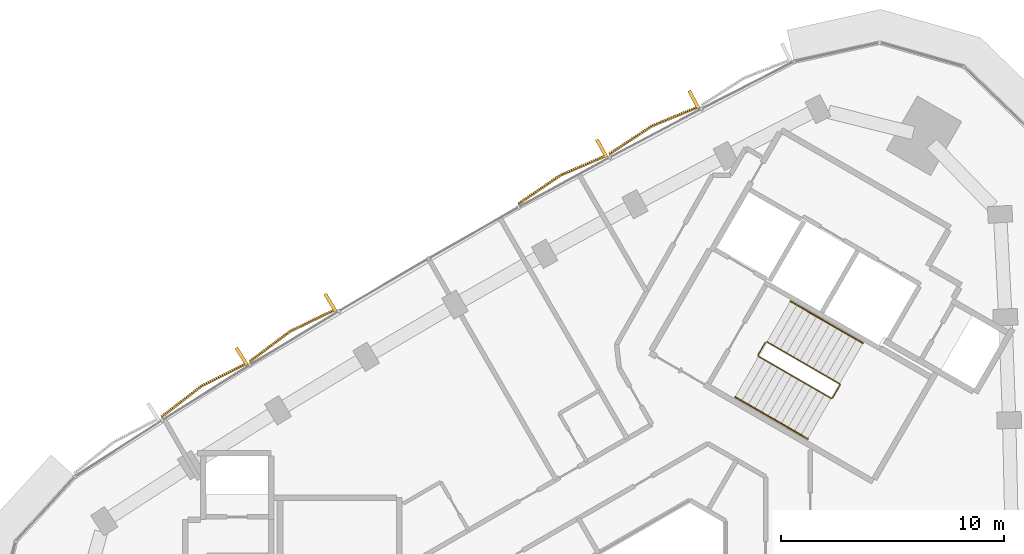
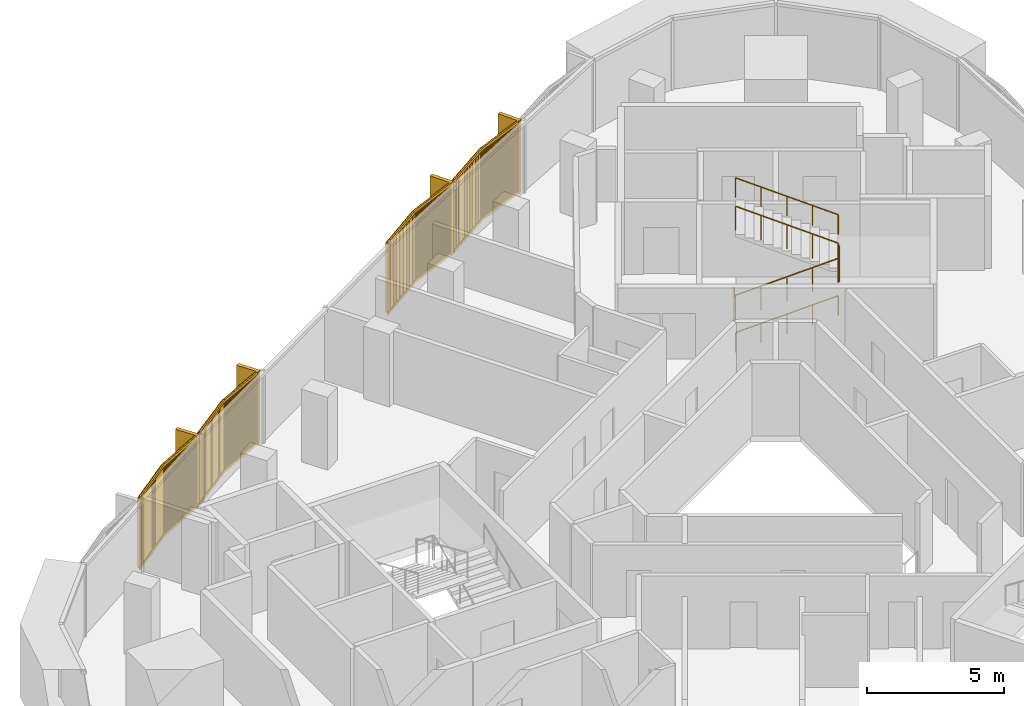
# One storey, part 15 of 16: 4 coverings, 3 railings.
"""IFC4 building model written with IfcOpenShell, lengths in metres."""

from ifc_helpers import new_model, si_unit, direction, frame, frame_2d, origin, origin_2d, place, context, subcontext, project, spatial, rectangle, circle, extrude, source, transform, mapped, material, type_object, element, save


model = new_model("IFC4")

# Units and contexts
model_context = context("Model", 3, precision=1e-05, world=origin(), true_north=direction((0.0, 1.0)))
body_context = subcontext(model_context, "Body", "Model", "MODEL_VIEW")
ifc_project = project(units=[si_unit("LENGTHUNIT", "METRE"), si_unit("AREAUNIT", "SQUARE_METRE"), si_unit("VOLUMEUNIT", "CUBIC_METRE"), si_unit("PLANEANGLEUNIT", "RADIAN"), si_unit("MASSUNIT", "GRAM", prefix="KILO")], contexts=[model_context])

# Site, building, storey
site_placement = place(None, origin())
site = spatial("IfcSite", under=ifc_project, at=site_placement, CompositionType="ELEMENT")
building_placement = place(site_placement, origin())
building = spatial("IfcBuilding", under=site, at=building_placement, Name="Tamra Quay Hotel Tower", CompositionType="ELEMENT")
storey_placement = place(building_placement, frame((0.0, 0.0, 239.39990234375)))
storey = spatial("IfcBuildingStorey", under=building, at=storey_placement, Name="L60", CompositionType="ELEMENT", Elevation=239.39990234375)

# Railings
ifc_material_1 = material(Name="Stair guard 1100")
railing_type_1 = type_object("IfcRailingType", Name="Stair guard 1100", PredefinedType="GUARDRAIL", material=ifc_material_1)
railing_1_placement = place(storey_placement, frame((5.595458984375, 12.751953125, 0.0)))
element("IfcRailing", 1, at=railing_1_placement, inside=storey, type_object=railing_type_1, Name="GR", PredefinedType="GUARDRAIL", context=body_context, shape_type="SweptSolid", body=[
    extrude(circle(Radius=0.02392578125, at=origin_2d()), frame((0.0, 0.0, 1.076171875), z_axis=(-0.499765215335, -0.866160914346, 0.0), x_axis=(0.866160914346, -0.499765215335, 0.0)), (0.0, 0.0, 1.0), 0.658935546875),
    extrude(circle(Radius=0.02392578125, at=origin_2d()), frame((-0.329345703125, -0.57080078125, 1.076171875), z_axis=(0.110378772244, -0.410609032747, 0.905105932399), x_axis=(0.965715946433, 0.259601060869, 0.0)), (0.0, 0.0, 1.0), 0.165771484375),
    extrude(circle(Radius=0.02392578125, at=origin_2d()), frame((-0.31103515625, -0.638916015625, 1.22607421875), z_axis=(0.793078462799, -0.457933869594, 0.401650498471), x_axis=(0.500040788363, 0.866001853331, 0.0)), (0.0, 0.0, 1.0), 4.10791015625),
    extrude(circle(Radius=0.02392578125, at=origin_2d()), frame((2.94677734375, -2.52001953125, 2.8759765625), z_axis=(0.965948051503, 0.258736085224, 0.0), x_axis=(-0.258736085224, 0.965948051503, 0.0)), (0.0, 0.0, 1.0), 0.07080078125),
    extrude(circle(Radius=0.02392578125, at=origin_2d()), frame((3.01513671875, -2.501708984375, 2.8759765625), z_axis=(0.500043078269, 0.866000531106, 0.0), x_axis=(-0.866000531106, 0.500043078269, 0.0)), (0.0, 0.0, 1.0), 0.6591796875),
    extrude(circle(Radius=0.02392578125, at=origin_2d()), frame((3.3447265625, -1.930908203125, 2.8759765625), z_axis=(-0.110378772244, 0.410609032747, 0.905105932399), x_axis=(-0.965715946433, -0.259601060869, 0.0)), (0.0, 0.0, 1.0), 0.165771484375),
    extrude(circle(Radius=0.02392578125, at=origin_2d()), frame((3.326416015625, -1.86279296875, 3.0263671875), z_axis=(-0.793100512587, 0.457912285461, 0.401631567183), x_axis=(-0.500012686397, -0.866018079166, 0.0)), (0.0, 0.0, 1.0), 4.10791015625),
    extrude(circle(Radius=0.02099609375, at=origin_2d()), origin(), (0.0, 0.0, 1.0), 1.052001953125),
    extrude(circle(Radius=0.02099609375, at=origin_2d()), frame((-0.329345703125, -0.57080078125, 0.0)), (0.0, 0.0, 1.0), 1.052001953125),
    extrude(circle(Radius=0.02099609375, at=origin_2d()), frame((-0.31103515625, -0.638916015625, 0.150146484375)), (0.0, 0.0, 1.0), 1.052001953125),
    extrude(circle(Radius=0.02099609375, at=origin_2d()), frame((0.50341796875, -1.109130859375, 0.5625)), (0.0, 0.0, 1.0), 1.052001953125),
    extrude(circle(Radius=0.02099609375, at=origin_2d()), frame((1.31787109375, -1.57958984375, 0.97509765625)), (0.0, 0.0, 1.0), 1.052001953125),
    extrude(circle(Radius=0.02099609375, at=origin_2d()), frame((2.13232421875, -2.0498046875, 1.3876953125)), (0.0, 0.0, 1.0), 1.052001953125),
    extrude(circle(Radius=0.02099609375, at=origin_2d()), frame((2.94677734375, -2.52001953125, 1.800048828125)), (0.0, 0.0, 1.0), 1.052001953125),
    extrude(circle(Radius=0.02099609375, at=origin_2d()), frame((3.01513671875, -2.501708984375, 1.800048828125)), (0.0, 0.0, 1.0), 1.052001953125),
    extrude(circle(Radius=0.02099609375, at=origin_2d()), frame((3.3447265625, -1.930908203125, 1.800048828125)), (0.0, 0.0, 1.0), 1.052001953125),
    extrude(circle(Radius=0.02099609375, at=origin_2d()), frame((3.326416015625, -1.86279296875, 1.9501953125)), (0.0, 0.0, 1.0), 1.052001953125),
    extrude(circle(Radius=0.02099609375, at=origin_2d()), frame((2.511962890625, -1.392578125, 2.36279296875)), (0.0, 0.0, 1.0), 1.052001953125),
    extrude(circle(Radius=0.02099609375, at=origin_2d()), frame((1.697265625, -0.92236328125, 2.775146484375)), (0.0, 0.0, 1.0), 1.052001953125),
    extrude(circle(Radius=0.02099609375, at=origin_2d()), frame((0.8828125, -0.451904296875, 3.1875)), (0.0, 0.0, 1.0), 1.052001953125),
    extrude(circle(Radius=0.02099609375, at=origin_2d()), frame((0.068359375, 0.018310546875, 3.60009765625)), (0.0, 0.0, 1.0), 1.052001953125),
])
ifc_material_2 = material(Name="Stair handrail 900")
railing_type_2 = type_object("IfcRailingType", Name="Stair handrail 900", PredefinedType="HANDRAIL", material=ifc_material_2)
railing_2_placement = place(storey_placement, frame((4.234375, 10.294189453125, 0.150146484375)))
element("IfcRailing", 2, at=railing_2_placement, inside=storey, type_object=railing_type_2, Name="HR", PredefinedType="HANDRAIL", context=body_context, shape_type="SweptSolid", body=[
    extrude(circle(Radius=0.02392578125, at=origin_2d()), frame((0.0, 0.0, 0.8759765625), z_axis=(0.793122095483, -0.45786531462, 0.401642496911), x_axis=(0.499964013922, 0.86604617936, 0.0)), (0.0, 0.0, 1.0), 4.10791015625),
    extrude(circle(Radius=0.02099609375, at=origin_2d()), origin(), (0.0, 0.0, 1.0), 0.851806640625),
    extrude(circle(Radius=0.02099609375, at=origin_2d()), frame((0.814453125, -0.47021484375, 0.41259765625)), (0.0, 0.0, 1.0), 0.851806640625),
    extrude(circle(Radius=0.02099609375, at=origin_2d()), frame((1.62890625, -0.9404296875, 0.824951171875)), (0.0, 0.0, 1.0), 0.851806640625),
    extrude(circle(Radius=0.02099609375, at=origin_2d()), frame((2.443603515625, -1.41064453125, 1.2373046875)), (0.0, 0.0, 1.0), 0.851806640625),
    extrude(circle(Radius=0.02099609375, at=origin_2d()), frame((3.258056640625, -1.880859375, 1.64990234375)), (0.0, 0.0, 1.0), 0.851806640625),
])
railing_3_placement = place(storey_placement, frame((9.971923828125, 12.7080078125, 1.9501953125)))
element("IfcRailing", 3, at=railing_3_placement, inside=storey, type_object=railing_type_2, Name="HR", PredefinedType="HANDRAIL", context=body_context, shape_type="SweptSolid", body=[
    extrude(circle(Radius=0.02392578125, at=origin_2d()), frame((0.0, 0.0, 0.8759765625), z_axis=(-0.793122095483, 0.45786531462, 0.401642496911), x_axis=(-0.499964013922, -0.86604617936, 0.0)), (0.0, 0.0, 1.0), 4.10791015625),
    extrude(circle(Radius=0.02099609375, at=origin_2d()), origin(), (0.0, 0.0, 1.0), 0.851806640625),
    extrude(circle(Radius=0.02099609375, at=origin_2d()), frame((-0.814453125, 0.47021484375, 0.41259765625)), (0.0, 0.0, 1.0), 0.851806640625),
    extrude(circle(Radius=0.02099609375, at=origin_2d()), frame((-1.62890625, 0.9404296875, 0.824951171875)), (0.0, 0.0, 1.0), 0.851806640625),
    extrude(circle(Radius=0.02099609375, at=origin_2d()), frame((-2.443603515625, 1.41064453125, 1.2373046875)), (0.0, 0.0, 1.0), 0.851806640625),
    extrude(circle(Radius=0.02099609375, at=origin_2d()), frame((-3.258056640625, 1.880859375, 1.64990234375)), (0.0, 0.0, 1.0), 0.851806640625),
])

# Coverings
ifc_material_3 = material(Name="Terracotta baguette extruded", Category="masonry")
covering_type = type_object("IfcCoveringType", Name="BAGUETTE SCREEN NW-V H3250", PredefinedType="USERDEFINED", material=ifc_material_3)
shared_shape_1 = source(origin(), body_context, "Body", "SweptSolid", [
    extrude(rectangle(XDim=2.29296875, YDim=0.06005859375, at=frame_2d((1.146484375, 0.030029296875))), frame((-2.288330078125, -0.0576171875, -0.1201171875), z_axis=(0.0, 0.0, 1.0), x_axis=(0.995396198367, -0.09584575252, 0.0)), (0.0, 0.0, 1.0), 0.1201171875),
    extrude(rectangle(XDim=2.29296875, YDim=0.06005859375, at=frame_2d((1.146484375, 0.030029296875))), frame((-2.288330078125, -0.0576171875, -3.25), z_axis=(0.0, 0.0, 1.0), x_axis=(0.995396198367, -0.09584575252, 0.0)), (0.0, 0.0, 1.0), 0.1201171875),
    extrude(rectangle(XDim=0.070068359375, YDim=0.10009765625, at=frame_2d((0.03515625, 0.050048828125))), frame((-2.267822265625, -0.1328125, -3.18994140625)), (0.0, 0.0, 1.0), 3.1298828125),
    extrude(rectangle(XDim=0.070068359375, YDim=0.10009765625, at=frame_2d((0.03515625, 0.050048828125))), frame((-2.168701171875, -0.142333984375, -3.18994140625)), (0.0, 0.0, 1.0), 3.1298828125),
    extrude(rectangle(XDim=0.070068359375, YDim=0.10009765625, at=frame_2d((0.03515625, 0.050048828125))), frame((-2.0693359375, -0.15185546875, -3.18994140625)), (0.0, 0.0, 1.0), 3.1298828125),
    extrude(rectangle(XDim=0.070068359375, YDim=0.10009765625, at=frame_2d((0.03515625, 0.050048828125))), frame((-1.97021484375, -0.161376953125, -3.18994140625)), (0.0, 0.0, 1.0), 3.1298828125),
    extrude(rectangle(XDim=0.070068359375, YDim=0.10009765625, at=frame_2d((0.03515625, 0.050048828125))), frame((-1.870849609375, -0.1708984375, -3.18994140625)), (0.0, 0.0, 1.0), 3.1298828125),
    extrude(rectangle(XDim=0.070068359375, YDim=0.10009765625, at=frame_2d((0.03515625, 0.050048828125))), frame((-1.771728515625, -0.1806640625, -3.18994140625)), (0.0, 0.0, 1.0), 3.1298828125),
    extrude(rectangle(XDim=0.070068359375, YDim=0.10009765625, at=frame_2d((0.03515625, 0.050048828125))), frame((-1.67236328125, -0.190185546875, -3.18994140625)), (0.0, 0.0, 1.0), 3.1298828125),
    extrude(rectangle(XDim=0.070068359375, YDim=0.10009765625, at=frame_2d((0.03515625, 0.050048828125))), frame((-1.5732421875, -0.19970703125, -3.18994140625)), (0.0, 0.0, 1.0), 3.1298828125),
    extrude(rectangle(XDim=0.070068359375, YDim=0.10009765625, at=frame_2d((0.03515625, 0.050048828125))), frame((-1.473876953125, -0.209228515625, -3.18994140625)), (0.0, 0.0, 1.0), 3.1298828125),
    extrude(rectangle(XDim=0.070068359375, YDim=0.10009765625, at=frame_2d((0.03515625, 0.050048828125))), frame((-1.374755859375, -0.21875, -3.18994140625)), (0.0, 0.0, 1.0), 3.1298828125),
    extrude(rectangle(XDim=0.070068359375, YDim=0.10009765625, at=frame_2d((0.03515625, 0.050048828125))), frame((-1.275390625, -0.228271484375, -3.18994140625)), (0.0, 0.0, 1.0), 3.1298828125),
    extrude(rectangle(XDim=0.070068359375, YDim=0.10009765625, at=frame_2d((0.03515625, 0.050048828125))), frame((-1.17626953125, -0.23779296875, -3.18994140625)), (0.0, 0.0, 1.0), 3.1298828125),
    extrude(rectangle(XDim=0.070068359375, YDim=0.10009765625, at=frame_2d((0.03515625, 0.050048828125))), frame((-1.076904296875, -0.24755859375, -3.18994140625)), (0.0, 0.0, 1.0), 3.1298828125),
    extrude(rectangle(XDim=0.070068359375, YDim=0.10009765625, at=frame_2d((0.03515625, 0.050048828125))), frame((-0.977783203125, -0.257080078125, -3.18994140625)), (0.0, 0.0, 1.0), 3.1298828125),
    extrude(rectangle(XDim=0.070068359375, YDim=0.10009765625, at=frame_2d((0.03515625, 0.050048828125))), frame((-0.87841796875, -0.2666015625, -3.18994140625)), (0.0, 0.0, 1.0), 3.1298828125),
    extrude(rectangle(XDim=0.070068359375, YDim=0.10009765625, at=frame_2d((0.03515625, 0.050048828125))), frame((-0.779296875, -0.276123046875, -3.18994140625)), (0.0, 0.0, 1.0), 3.1298828125),
    extrude(rectangle(XDim=0.070068359375, YDim=0.10009765625, at=frame_2d((0.03515625, 0.050048828125))), frame((-0.679931640625, -0.28564453125, -3.18994140625)), (0.0, 0.0, 1.0), 3.1298828125),
    extrude(rectangle(XDim=0.070068359375, YDim=0.10009765625, at=frame_2d((0.03515625, 0.050048828125))), frame((-0.580810546875, -0.295166015625, -3.18994140625)), (0.0, 0.0, 1.0), 3.1298828125),
    extrude(rectangle(XDim=0.070068359375, YDim=0.10009765625, at=frame_2d((0.03515625, 0.050048828125))), frame((-0.481689453125, -0.3046875, -3.18994140625)), (0.0, 0.0, 1.0), 3.1298828125),
    extrude(rectangle(XDim=0.070068359375, YDim=0.10009765625, at=frame_2d((0.03515625, 0.050048828125))), frame((-0.38232421875, -0.314453125, -3.18994140625)), (0.0, 0.0, 1.0), 3.1298828125),
    extrude(rectangle(XDim=0.070068359375, YDim=0.10009765625, at=frame_2d((0.03515625, 0.050048828125))), frame((-0.283203125, -0.323974609375, -3.18994140625)), (0.0, 0.0, 1.0), 3.1298828125),
    extrude(rectangle(XDim=0.070068359375, YDim=0.10009765625, at=frame_2d((0.03515625, 0.050048828125))), frame((-0.183837890625, -0.33349609375, -3.18994140625)), (0.0, 0.0, 1.0), 3.1298828125),
    extrude(rectangle(XDim=0.070068359375, YDim=0.10009765625, at=frame_2d((0.03515625, 0.050048828125))), frame((-0.084716796875, -0.343017578125, -3.18994140625)), (0.0, 0.0, 1.0), 3.1298828125),
    extrude(rectangle(XDim=2.29296875, YDim=0.06005859375, at=frame_2d((1.146484375, 0.030029296875))), frame((0.005859375, -0.277587890625, -0.1201171875), z_axis=(0.0, 0.0, 1.0), x_axis=(0.995396198367, 0.09584575252, 0.0)), (0.0, 0.0, 1.0), 0.1201171875),
    extrude(rectangle(XDim=2.29296875, YDim=0.06005859375, at=frame_2d((1.146484375, 0.030029296875))), frame((0.005859375, -0.277587890625, -3.25), z_axis=(0.0, 0.0, 1.0), x_axis=(0.995396198367, 0.09584575252, 0.0)), (0.0, 0.0, 1.0), 0.1201171875),
    extrude(rectangle(XDim=0.070068359375, YDim=0.10009765625, at=frame_2d((0.03515625, 0.050048828125))), frame((0.0146484375, -0.343017578125, -3.18994140625)), (0.0, 0.0, 1.0), 3.1298828125),
    extrude(rectangle(XDim=0.070068359375, YDim=0.10009765625, at=frame_2d((0.03515625, 0.050048828125))), frame((0.11376953125, -0.33349609375, -3.18994140625)), (0.0, 0.0, 1.0), 3.1298828125),
    extrude(rectangle(XDim=0.070068359375, YDim=0.10009765625, at=frame_2d((0.03515625, 0.050048828125))), frame((0.213134765625, -0.323974609375, -3.18994140625)), (0.0, 0.0, 1.0), 3.1298828125),
    extrude(rectangle(XDim=0.070068359375, YDim=0.10009765625, at=frame_2d((0.03515625, 0.050048828125))), frame((0.312255859375, -0.314453125, -3.18994140625)), (0.0, 0.0, 1.0), 3.1298828125),
    extrude(rectangle(XDim=0.070068359375, YDim=0.10009765625, at=frame_2d((0.03515625, 0.050048828125))), frame((0.41162109375, -0.3046875, -3.18994140625)), (0.0, 0.0, 1.0), 3.1298828125),
    extrude(rectangle(XDim=0.070068359375, YDim=0.10009765625, at=frame_2d((0.03515625, 0.050048828125))), frame((0.5107421875, -0.295166015625, -3.18994140625)), (0.0, 0.0, 1.0), 3.1298828125),
    extrude(rectangle(XDim=0.070068359375, YDim=0.10009765625, at=frame_2d((0.03515625, 0.050048828125))), frame((0.610107421875, -0.28564453125, -3.18994140625)), (0.0, 0.0, 1.0), 3.1298828125),
    extrude(rectangle(XDim=0.070068359375, YDim=0.10009765625, at=frame_2d((0.03515625, 0.050048828125))), frame((0.709228515625, -0.276123046875, -3.18994140625)), (0.0, 0.0, 1.0), 3.1298828125),
    extrude(rectangle(XDim=0.070068359375, YDim=0.10009765625, at=frame_2d((0.03515625, 0.050048828125))), frame((0.80859375, -0.2666015625, -3.18994140625)), (0.0, 0.0, 1.0), 3.1298828125),
    extrude(rectangle(XDim=0.070068359375, YDim=0.10009765625, at=frame_2d((0.03515625, 0.050048828125))), frame((0.90771484375, -0.257080078125, -3.18994140625)), (0.0, 0.0, 1.0), 3.1298828125),
    extrude(rectangle(XDim=0.070068359375, YDim=0.10009765625, at=frame_2d((0.03515625, 0.050048828125))), frame((1.007080078125, -0.24755859375, -3.18994140625)), (0.0, 0.0, 1.0), 3.1298828125),
    extrude(rectangle(XDim=0.070068359375, YDim=0.10009765625, at=frame_2d((0.03515625, 0.050048828125))), frame((1.106201171875, -0.23779296875, -3.18994140625)), (0.0, 0.0, 1.0), 3.1298828125),
    extrude(rectangle(XDim=0.070068359375, YDim=0.10009765625, at=frame_2d((0.03515625, 0.050048828125))), frame((1.20556640625, -0.228271484375, -3.18994140625)), (0.0, 0.0, 1.0), 3.1298828125),
    extrude(rectangle(XDim=0.070068359375, YDim=0.10009765625, at=frame_2d((0.03515625, 0.050048828125))), frame((1.3046875, -0.21875, -3.18994140625)), (0.0, 0.0, 1.0), 3.1298828125),
    extrude(rectangle(XDim=0.070068359375, YDim=0.10009765625, at=frame_2d((0.03515625, 0.050048828125))), frame((1.404052734375, -0.209228515625, -3.18994140625)), (0.0, 0.0, 1.0), 3.1298828125),
    extrude(rectangle(XDim=0.070068359375, YDim=0.10009765625, at=frame_2d((0.03515625, 0.050048828125))), frame((1.503173828125, -0.19970703125, -3.18994140625)), (0.0, 0.0, 1.0), 3.1298828125),
    extrude(rectangle(XDim=0.070068359375, YDim=0.10009765625, at=frame_2d((0.03515625, 0.050048828125))), frame((1.6025390625, -0.190185546875, -3.18994140625)), (0.0, 0.0, 1.0), 3.1298828125),
    extrude(rectangle(XDim=0.070068359375, YDim=0.10009765625, at=frame_2d((0.03515625, 0.050048828125))), frame((1.70166015625, -0.1806640625, -3.18994140625)), (0.0, 0.0, 1.0), 3.1298828125),
    extrude(rectangle(XDim=0.070068359375, YDim=0.10009765625, at=frame_2d((0.03515625, 0.050048828125))), frame((1.801025390625, -0.1708984375, -3.18994140625)), (0.0, 0.0, 1.0), 3.1298828125),
    extrude(rectangle(XDim=0.070068359375, YDim=0.10009765625, at=frame_2d((0.03515625, 0.050048828125))), frame((1.900146484375, -0.161376953125, -3.18994140625)), (0.0, 0.0, 1.0), 3.1298828125),
    extrude(rectangle(XDim=0.070068359375, YDim=0.10009765625, at=frame_2d((0.03515625, 0.050048828125))), frame((1.99951171875, -0.15185546875, -3.18994140625)), (0.0, 0.0, 1.0), 3.1298828125),
    extrude(rectangle(XDim=0.070068359375, YDim=0.10009765625, at=frame_2d((0.03515625, 0.050048828125))), frame((2.0986328125, -0.142333984375, -3.18994140625)), (0.0, 0.0, 1.0), 3.1298828125),
    extrude(rectangle(XDim=0.070068359375, YDim=0.10009765625, at=frame_2d((0.03515625, 0.050048828125))), frame((2.197998046875, -0.1328125, -3.18994140625)), (0.0, 0.0, 1.0), 3.1298828125),
    extrude(rectangle(XDim=0.14990234375, YDim=0.902099609375, at=frame_2d((0.074951171875, 0.451171875))), frame((-2.282470703125, -0.89990234375, -3.25)), (0.0, 0.0, 1.0), 3.25),
])
for number, where, z_axis, x_axis, name in (
    (4, (-3.47119140625, 19.99560546875, 3.25), (0.0, 0.0, 1.0), (-0.876845960448, -0.480771423492, 0.0), "Baguette screen L60.NW.f02"),
    (5, (-15.5810546875, 13.004150390625, 3.25), (0.0, 0.0, 1.0), (-0.854783246382, -0.518985165207, 0.0), "Baguette screen L60.NW.f05"),
):
    element("IfcCovering", number, at=place(storey_placement, frame(where, z_axis=z_axis, x_axis=x_axis)), inside=storey, type_object=covering_type, Name=name, ObjectType="BAGUETTE SCREEN", PredefinedType="USERDEFINED", context=body_context, shape_type="MappedRepresentation", body=[
        mapped(shared_shape_1, transform((0.0, 0.0, 0.0), scale=1.0)),
    ])
shared_shape_2 = source(origin(), body_context, "Body", "SweptSolid", [
    extrude(rectangle(XDim=2.302978515625, YDim=0.06005859375, at=frame_2d((1.1513671875, 0.030029296875))), frame((-2.29833984375, -0.0576171875, -0.1201171875), z_axis=(0.0, 0.0, 1.0), x_axis=(0.995396198367, -0.09584575252, 0.0)), (0.0, 0.0, 1.0), 0.1201171875),
    extrude(rectangle(XDim=2.302978515625, YDim=0.06005859375, at=frame_2d((1.1513671875, 0.030029296875))), frame((-2.29833984375, -0.0576171875, -3.25), z_axis=(0.0, 0.0, 1.0), x_axis=(0.995396198367, -0.09584575252, 0.0)), (0.0, 0.0, 1.0), 0.1201171875),
    extrude(rectangle(XDim=0.070068359375, YDim=0.10009765625, at=frame_2d((0.03515625, 0.050048828125))), frame((-2.277587890625, -0.1328125, -3.18994140625)), (0.0, 0.0, 1.0), 3.1298828125),
    extrude(rectangle(XDim=0.070068359375, YDim=0.10009765625, at=frame_2d((0.03515625, 0.050048828125))), frame((-2.177978515625, -0.142333984375, -3.18994140625)), (0.0, 0.0, 1.0), 3.1298828125),
    extrude(rectangle(XDim=0.070068359375, YDim=0.10009765625, at=frame_2d((0.03515625, 0.050048828125))), frame((-2.078369140625, -0.152099609375, -3.18994140625)), (0.0, 0.0, 1.0), 3.1298828125),
    extrude(rectangle(XDim=0.070068359375, YDim=0.10009765625, at=frame_2d((0.03515625, 0.050048828125))), frame((-1.978759765625, -0.16162109375, -3.18994140625)), (0.0, 0.0, 1.0), 3.1298828125),
    extrude(rectangle(XDim=0.070068359375, YDim=0.10009765625, at=frame_2d((0.03515625, 0.050048828125))), frame((-1.87890625, -0.171142578125, -3.18994140625)), (0.0, 0.0, 1.0), 3.1298828125),
    extrude(rectangle(XDim=0.070068359375, YDim=0.10009765625, at=frame_2d((0.03515625, 0.050048828125))), frame((-1.779296875, -0.180908203125, -3.18994140625)), (0.0, 0.0, 1.0), 3.1298828125),
    extrude(rectangle(XDim=0.070068359375, YDim=0.10009765625, at=frame_2d((0.03515625, 0.050048828125))), frame((-1.6796875, -0.1904296875, -3.18994140625)), (0.0, 0.0, 1.0), 3.1298828125),
    extrude(rectangle(XDim=0.070068359375, YDim=0.10009765625, at=frame_2d((0.03515625, 0.050048828125))), frame((-1.579833984375, -0.199951171875, -3.18994140625)), (0.0, 0.0, 1.0), 3.1298828125),
    extrude(rectangle(XDim=0.070068359375, YDim=0.10009765625, at=frame_2d((0.03515625, 0.050048828125))), frame((-1.480224609375, -0.20947265625, -3.18994140625)), (0.0, 0.0, 1.0), 3.1298828125),
    extrude(rectangle(XDim=0.070068359375, YDim=0.10009765625, at=frame_2d((0.03515625, 0.050048828125))), frame((-1.380615234375, -0.21923828125, -3.18994140625)), (0.0, 0.0, 1.0), 3.1298828125),
    extrude(rectangle(XDim=0.070068359375, YDim=0.10009765625, at=frame_2d((0.03515625, 0.050048828125))), frame((-1.281005859375, -0.228759765625, -3.18994140625)), (0.0, 0.0, 1.0), 3.1298828125),
    extrude(rectangle(XDim=0.070068359375, YDim=0.10009765625, at=frame_2d((0.03515625, 0.050048828125))), frame((-1.18115234375, -0.23828125, -3.18994140625)), (0.0, 0.0, 1.0), 3.1298828125),
    extrude(rectangle(XDim=0.070068359375, YDim=0.10009765625, at=frame_2d((0.03515625, 0.050048828125))), frame((-1.08154296875, -0.248046875, -3.18994140625)), (0.0, 0.0, 1.0), 3.1298828125),
    extrude(rectangle(XDim=0.070068359375, YDim=0.10009765625, at=frame_2d((0.03515625, 0.050048828125))), frame((-0.98193359375, -0.257568359375, -3.18994140625)), (0.0, 0.0, 1.0), 3.1298828125),
    extrude(rectangle(XDim=0.070068359375, YDim=0.10009765625, at=frame_2d((0.03515625, 0.050048828125))), frame((-0.88232421875, -0.26708984375, -3.18994140625)), (0.0, 0.0, 1.0), 3.1298828125),
    extrude(rectangle(XDim=0.070068359375, YDim=0.10009765625, at=frame_2d((0.03515625, 0.050048828125))), frame((-0.782470703125, -0.27685546875, -3.18994140625)), (0.0, 0.0, 1.0), 3.1298828125),
    extrude(rectangle(XDim=0.070068359375, YDim=0.10009765625, at=frame_2d((0.03515625, 0.050048828125))), frame((-0.682861328125, -0.286376953125, -3.18994140625)), (0.0, 0.0, 1.0), 3.1298828125),
    extrude(rectangle(XDim=0.070068359375, YDim=0.10009765625, at=frame_2d((0.03515625, 0.050048828125))), frame((-0.583251953125, -0.2958984375, -3.18994140625)), (0.0, 0.0, 1.0), 3.1298828125),
    extrude(rectangle(XDim=0.070068359375, YDim=0.10009765625, at=frame_2d((0.03515625, 0.050048828125))), frame((-0.483642578125, -0.3056640625, -3.18994140625)), (0.0, 0.0, 1.0), 3.1298828125),
    extrude(rectangle(XDim=0.070068359375, YDim=0.10009765625, at=frame_2d((0.03515625, 0.050048828125))), frame((-0.3837890625, -0.315185546875, -3.18994140625)), (0.0, 0.0, 1.0), 3.1298828125),
    extrude(rectangle(XDim=0.070068359375, YDim=0.10009765625, at=frame_2d((0.03515625, 0.050048828125))), frame((-0.2841796875, -0.32470703125, -3.18994140625)), (0.0, 0.0, 1.0), 3.1298828125),
    extrude(rectangle(XDim=0.070068359375, YDim=0.10009765625, at=frame_2d((0.03515625, 0.050048828125))), frame((-0.1845703125, -0.334228515625, -3.18994140625)), (0.0, 0.0, 1.0), 3.1298828125),
    extrude(rectangle(XDim=0.070068359375, YDim=0.10009765625, at=frame_2d((0.03515625, 0.050048828125))), frame((-0.0849609375, -0.343994140625, -3.18994140625)), (0.0, 0.0, 1.0), 3.1298828125),
    extrude(rectangle(XDim=2.302978515625, YDim=0.06005859375, at=frame_2d((1.1513671875, 0.030029296875))), frame((0.005859375, -0.278564453125, -0.1201171875), z_axis=(0.0, 0.0, 1.0), x_axis=(0.995396198367, 0.09584575252, 0.0)), (0.0, 0.0, 1.0), 0.1201171875),
    extrude(rectangle(XDim=2.302978515625, YDim=0.06005859375, at=frame_2d((1.1513671875, 0.030029296875))), frame((0.005859375, -0.278564453125, -3.25), z_axis=(0.0, 0.0, 1.0), x_axis=(0.995396198367, 0.09584575252, 0.0)), (0.0, 0.0, 1.0), 0.1201171875),
    extrude(rectangle(XDim=0.070068359375, YDim=0.10009765625, at=frame_2d((0.03515625, 0.050048828125))), frame((0.014892578125, -0.343994140625, -3.18994140625)), (0.0, 0.0, 1.0), 3.1298828125),
    extrude(rectangle(XDim=0.070068359375, YDim=0.10009765625, at=frame_2d((0.03515625, 0.050048828125))), frame((0.114501953125, -0.334228515625, -3.18994140625)), (0.0, 0.0, 1.0), 3.1298828125),
    extrude(rectangle(XDim=0.070068359375, YDim=0.10009765625, at=frame_2d((0.03515625, 0.050048828125))), frame((0.214111328125, -0.32470703125, -3.18994140625)), (0.0, 0.0, 1.0), 3.1298828125),
    extrude(rectangle(XDim=0.070068359375, YDim=0.10009765625, at=frame_2d((0.03515625, 0.050048828125))), frame((0.31396484375, -0.315185546875, -3.18994140625)), (0.0, 0.0, 1.0), 3.1298828125),
    extrude(rectangle(XDim=0.070068359375, YDim=0.10009765625, at=frame_2d((0.03515625, 0.050048828125))), frame((0.41357421875, -0.3056640625, -3.18994140625)), (0.0, 0.0, 1.0), 3.1298828125),
    extrude(rectangle(XDim=0.070068359375, YDim=0.10009765625, at=frame_2d((0.03515625, 0.050048828125))), frame((0.51318359375, -0.2958984375, -3.18994140625)), (0.0, 0.0, 1.0), 3.1298828125),
    extrude(rectangle(XDim=0.070068359375, YDim=0.10009765625, at=frame_2d((0.03515625, 0.050048828125))), frame((0.61279296875, -0.286376953125, -3.18994140625)), (0.0, 0.0, 1.0), 3.1298828125),
    extrude(rectangle(XDim=0.070068359375, YDim=0.10009765625, at=frame_2d((0.03515625, 0.050048828125))), frame((0.712646484375, -0.27685546875, -3.18994140625)), (0.0, 0.0, 1.0), 3.1298828125),
    extrude(rectangle(XDim=0.070068359375, YDim=0.10009765625, at=frame_2d((0.03515625, 0.050048828125))), frame((0.812255859375, -0.26708984375, -3.18994140625)), (0.0, 0.0, 1.0), 3.1298828125),
    extrude(rectangle(XDim=0.070068359375, YDim=0.10009765625, at=frame_2d((0.03515625, 0.050048828125))), frame((0.911865234375, -0.257568359375, -3.18994140625)), (0.0, 0.0, 1.0), 3.1298828125),
    extrude(rectangle(XDim=0.070068359375, YDim=0.10009765625, at=frame_2d((0.03515625, 0.050048828125))), frame((1.011474609375, -0.248046875, -3.18994140625)), (0.0, 0.0, 1.0), 3.1298828125),
    extrude(rectangle(XDim=0.070068359375, YDim=0.10009765625, at=frame_2d((0.03515625, 0.050048828125))), frame((1.111328125, -0.23828125, -3.18994140625)), (0.0, 0.0, 1.0), 3.1298828125),
    extrude(rectangle(XDim=0.070068359375, YDim=0.10009765625, at=frame_2d((0.03515625, 0.050048828125))), frame((1.2109375, -0.228759765625, -3.18994140625)), (0.0, 0.0, 1.0), 3.1298828125),
    extrude(rectangle(XDim=0.070068359375, YDim=0.10009765625, at=frame_2d((0.03515625, 0.050048828125))), frame((1.310546875, -0.21923828125, -3.18994140625)), (0.0, 0.0, 1.0), 3.1298828125),
    extrude(rectangle(XDim=0.070068359375, YDim=0.10009765625, at=frame_2d((0.03515625, 0.050048828125))), frame((1.41015625, -0.20947265625, -3.18994140625)), (0.0, 0.0, 1.0), 3.1298828125),
    extrude(rectangle(XDim=0.070068359375, YDim=0.10009765625, at=frame_2d((0.03515625, 0.050048828125))), frame((1.510009765625, -0.199951171875, -3.18994140625)), (0.0, 0.0, 1.0), 3.1298828125),
    extrude(rectangle(XDim=0.070068359375, YDim=0.10009765625, at=frame_2d((0.03515625, 0.050048828125))), frame((1.609619140625, -0.1904296875, -3.18994140625)), (0.0, 0.0, 1.0), 3.1298828125),
    extrude(rectangle(XDim=0.070068359375, YDim=0.10009765625, at=frame_2d((0.03515625, 0.050048828125))), frame((1.709228515625, -0.180908203125, -3.18994140625)), (0.0, 0.0, 1.0), 3.1298828125),
    extrude(rectangle(XDim=0.070068359375, YDim=0.10009765625, at=frame_2d((0.03515625, 0.050048828125))), frame((1.80908203125, -0.171142578125, -3.18994140625)), (0.0, 0.0, 1.0), 3.1298828125),
    extrude(rectangle(XDim=0.070068359375, YDim=0.10009765625, at=frame_2d((0.03515625, 0.050048828125))), frame((1.90869140625, -0.16162109375, -3.18994140625)), (0.0, 0.0, 1.0), 3.1298828125),
    extrude(rectangle(XDim=0.070068359375, YDim=0.10009765625, at=frame_2d((0.03515625, 0.050048828125))), frame((2.00830078125, -0.152099609375, -3.18994140625)), (0.0, 0.0, 1.0), 3.1298828125),
    extrude(rectangle(XDim=0.070068359375, YDim=0.10009765625, at=frame_2d((0.03515625, 0.050048828125))), frame((2.10791015625, -0.142333984375, -3.18994140625)), (0.0, 0.0, 1.0), 3.1298828125),
    extrude(rectangle(XDim=0.070068359375, YDim=0.10009765625, at=frame_2d((0.03515625, 0.050048828125))), frame((2.207763671875, -0.1328125, -3.18994140625)), (0.0, 0.0, 1.0), 3.1298828125),
    extrude(rectangle(XDim=0.14990234375, YDim=0.902099609375, at=frame_2d((0.074951171875, 0.451171875))), frame((-2.29248046875, -0.89990234375, -3.25)), (0.0, 0.0, 1.0), 3.25),
])
for number, where, z_axis, x_axis, name in (
    (6, (0.632080078125, 22.20654296875, 3.25), (0.0, 0.0, 1.0), (-0.883812587773, -0.467841115866, 0.0), "Baguette screen L60.NW.f01"),
    (7, (-19.547607421875, 10.555908203125, 3.25), (0.0, 0.0, 1.0), (-0.847068585161, -0.531483595263, 0.0), "Baguette screen L60.NW.f06"),
):
    element("IfcCovering", number, at=place(storey_placement, frame(where, z_axis=z_axis, x_axis=x_axis)), inside=storey, type_object=covering_type, Name=name, ObjectType="BAGUETTE SCREEN", PredefinedType="USERDEFINED", context=body_context, shape_type="MappedRepresentation", body=[
        mapped(shared_shape_2, transform((0.0, 0.0, 0.0), scale=1.0)),
    ])

save(model, "model.ifc")
